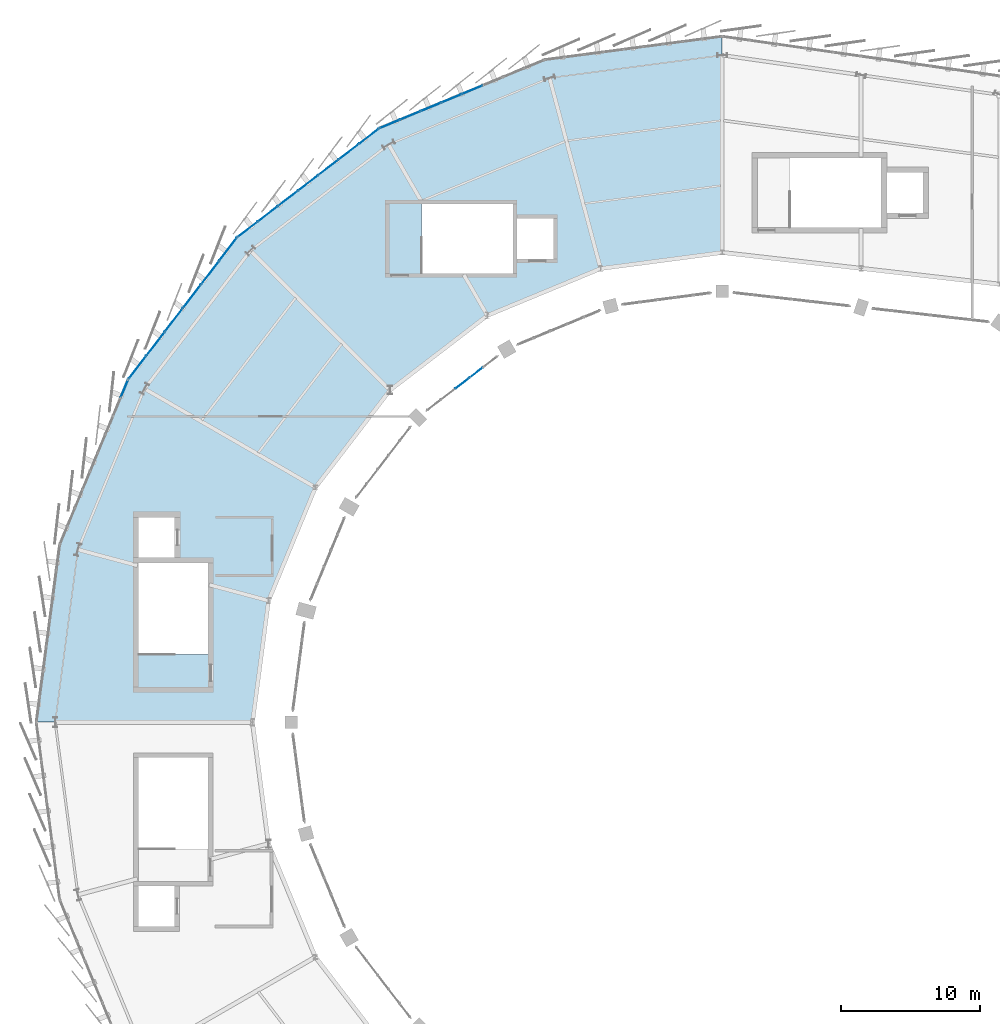
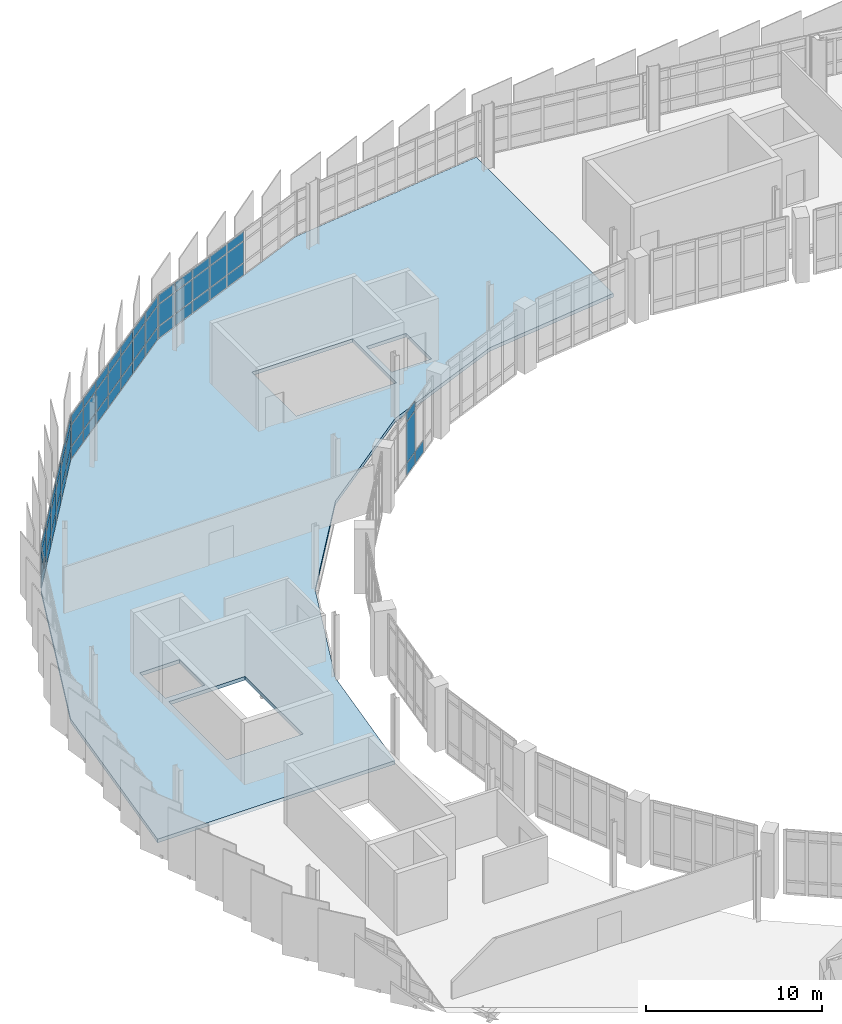
# One storey, part 54 of 67: 59 plates, 1 slab, 5 elements without a shape of their own.
"""IFC4 building model written with IfcOpenShell, lengths in metres."""

from ifc_helpers import new_model, si_unit, direction, frame, origin, origin_2d, place, context, subcontext, project, spatial, polyline, rectangle, outline, extrude, material, layer, layer_set, type_object, element, aggregate, save


model = new_model("IFC4")

# Units and contexts
model_context = context("Model", 3, precision=1e-05, world=origin(), true_north=direction((0.0, 1.0)))
body_context = subcontext(model_context, "Body", "Model", "MODEL_VIEW")
ifc_project = project(units=[si_unit("LENGTHUNIT", "METRE"), si_unit("AREAUNIT", "SQUARE_METRE"), si_unit("VOLUMEUNIT", "CUBIC_METRE"), si_unit("PLANEANGLEUNIT", "RADIAN"), si_unit("MASSUNIT", "GRAM", prefix="KILO")], contexts=[model_context])

# Site, building, storey
site_placement = place(None, origin())
site = spatial("IfcSite", under=ifc_project, at=site_placement, CompositionType="ELEMENT")
building_placement = place(site_placement, origin())
building = spatial("IfcBuilding", under=site, at=building_placement, Name="Sohan Crest Arena", CompositionType="ELEMENT")
storey_placement = place(building_placement, frame((0.0, 0.0, 22.5)))
storey = spatial("IfcBuildingStorey", under=building, at=storey_placement, Name="L05", CompositionType="ELEMENT", Elevation=22.5)

# Curtain wall, plate
ifc_material_1 = material(Name="Thermally broken anodised aluminium", Category="aluminium")
ifc_layer_1 = layer(ifc_material_1, 0.18994140625, Name="Thermally broken anodised aluminium")
ifc_layer_set_1 = layer_set([ifc_layer_1], Name="Thermally broken anodised aluminium")
curtain_wall_type_1 = type_object("IfcCurtainWallType", Name="ARC-CW05", PredefinedType="NOTDEFINED", material=ifc_layer_set_1)
curtain_wall_1_placement = place(storey_placement, origin())
curtain_wall_1 = element("IfcCurtainWall", 1, at=curtain_wall_1_placement, inside=storey, type_object=curtain_wall_type_1, Name="Unitised curtain wall CW-150", PredefinedType="NOTDEFINED")
ifc_material_2 = material(Name="Low-E double-glazed insulated glass", Category="glass")
ifc_layer_2 = layer(ifc_material_2, 0.028076171875, Name="Low-E double-glazed insulated glass")
ifc_layer_set_2 = layer_set([ifc_layer_2], Name="Low-E double-glazed insulated glass")
plate_type_1 = type_object("IfcPlateType", Name="ARC-CNP01", PredefinedType="CURTAIN_PANEL", material=ifc_layer_set_2)
plate_1_placement = place(storey_placement, frame((54.982421875, 102.0, 2.452392578125), z_axis=(0.0, 0.0, 1.0), x_axis=(-0.382685432009, -0.923878704229, 0.0)))
plate_1 = element("IfcPlate", 2, at=plate_1_placement, type_object=plate_type_1, Name="CW-150 panel 1.3", PredefinedType="CURTAIN_PANEL", context=body_context, shape_type="SweptSolid", body=[
    extrude(rectangle(XDim=1.34130859375, YDim=0.028076171875, at=origin_2d()), origin(), (0.0, 0.0, 1.0), 0.6025390625),
])
aggregate(curtain_wall_1, [plate_1])

# Curtain wall, plates
ifc_layer_3 = layer(ifc_material_1, 0.199951171875, Name="Thermally broken anodised aluminium")
ifc_layer_set_3 = layer_set([ifc_layer_3], Name="Thermally broken anodised aluminium")
curtain_wall_type_2 = type_object("IfcCurtainWallType", Name="ARC-CW02", PredefinedType="NOTDEFINED", material=ifc_layer_set_3)
curtain_wall_2_placement = place(storey_placement, origin())
curtain_wall_2 = element("IfcCurtainWall", 3, at=curtain_wall_2_placement, inside=storey, type_object=curtain_wall_type_2, Name="Unitised curtain wall CW-147", PredefinedType="NOTDEFINED")
ifc_layer_4 = layer(ifc_material_2, 0.031982421875, Name="Low-E double-glazed insulated glass")
ifc_layer_set_4 = layer_set([ifc_layer_4], Name="Low-E double-glazed insulated glass")
plate_type_2 = type_object("IfcPlateType", Name="ARC-CNP02", PredefinedType="CURTAIN_PANEL", material=ifc_layer_set_4)
plate_2_placement = place(storey_placement, frame((80.019775390625, 123.51123046875, 0.06494140625), z_axis=(0.0, 0.0, 1.0), x_axis=(-0.923878704229, -0.382685432009, 0.0)))
plate_2 = element("IfcPlate", 4, at=plate_2_placement, type_object=plate_type_2, Name="CW-147 panel 4.1", PredefinedType="CURTAIN_PANEL", context=body_context, shape_type="SweptSolid", body=[
    extrude(rectangle(XDim=1.54541015625, YDim=0.031982421875, at=origin_2d()), origin(), (0.0, 0.0, 1.0), 0.802490234375),
])
plate_3_placement = place(storey_placement, frame((80.019775390625, 123.51123046875, 0.932373046875), z_axis=(0.0, 0.0, 1.0), x_axis=(-0.923878704229, -0.382685432009, 0.0)))
plate_3 = element("IfcPlate", 5, at=plate_3_placement, type_object=plate_type_2, Name="CW-147 panel 4.2", PredefinedType="CURTAIN_PANEL", context=body_context, shape_type="SweptSolid", body=[
    extrude(rectangle(XDim=1.54541015625, YDim=0.031982421875, at=origin_2d()), origin(), (0.0, 0.0, 1.0), 1.455078125),
])
plate_4_placement = place(storey_placement, frame((80.019775390625, 123.51123046875, 2.452392578125), z_axis=(0.0, 0.0, 1.0), x_axis=(-0.923878704229, -0.382685432009, 0.0)))
plate_4 = element("IfcPlate", 6, at=plate_4_placement, type_object=plate_type_2, Name="CW-147 panel 4.3", PredefinedType="CURTAIN_PANEL", context=body_context, shape_type="SweptSolid", body=[
    extrude(rectangle(XDim=1.54541015625, YDim=0.031982421875, at=origin_2d()), origin(), (0.0, 0.0, 1.0), 0.6025390625),
])
plate_5_placement = place(storey_placement, frame((78.5322265625, 122.894775390625, 0.06494140625), z_axis=(0.0, 0.0, 1.0), x_axis=(-0.923878704229, -0.382685432009, 0.0)))
plate_5 = element("IfcPlate", 7, at=plate_5_placement, type_object=plate_type_2, Name="CW-147 panel 5.1", PredefinedType="CURTAIN_PANEL", context=body_context, shape_type="SweptSolid", body=[
    extrude(rectangle(XDim=1.54541015625, YDim=0.031982421875, at=origin_2d()), origin(), (0.0, 0.0, 1.0), 0.802490234375),
])
plate_6_placement = place(storey_placement, frame((78.5322265625, 122.894775390625, 0.932373046875), z_axis=(0.0, 0.0, 1.0), x_axis=(-0.923878704229, -0.382685432009, 0.0)))
plate_6 = element("IfcPlate", 8, at=plate_6_placement, type_object=plate_type_2, Name="CW-147 panel 5.2", PredefinedType="CURTAIN_PANEL", context=body_context, shape_type="SweptSolid", body=[
    extrude(rectangle(XDim=1.54541015625, YDim=0.031982421875, at=origin_2d()), origin(), (0.0, 0.0, 1.0), 1.455078125),
])
plate_7_placement = place(storey_placement, frame((78.5322265625, 122.894775390625, 2.452392578125), z_axis=(0.0, 0.0, 1.0), x_axis=(-0.923878704229, -0.382685432009, 0.0)))
plate_7 = element("IfcPlate", 9, at=plate_7_placement, type_object=plate_type_2, Name="CW-147 panel 5.3", PredefinedType="CURTAIN_PANEL", context=body_context, shape_type="SweptSolid", body=[
    extrude(rectangle(XDim=1.54541015625, YDim=0.031982421875, at=origin_2d()), origin(), (0.0, 0.0, 1.0), 0.6025390625),
])
plate_8_placement = place(storey_placement, frame((77.04443359375, 122.278564453125, 0.06494140625), z_axis=(0.0, 0.0, 1.0), x_axis=(-0.923878704229, -0.382685432009, 0.0)))
plate_8 = element("IfcPlate", 10, at=plate_8_placement, type_object=plate_type_2, Name="CW-147 panel 6.1", PredefinedType="CURTAIN_PANEL", context=body_context, shape_type="SweptSolid", body=[
    extrude(rectangle(XDim=1.54541015625, YDim=0.031982421875, at=origin_2d()), origin(), (0.0, 0.0, 1.0), 0.802490234375),
])
plate_9_placement = place(storey_placement, frame((77.04443359375, 122.278564453125, 0.932373046875), z_axis=(0.0, 0.0, 1.0), x_axis=(-0.923878704229, -0.382685432009, 0.0)))
plate_9 = element("IfcPlate", 11, at=plate_9_placement, type_object=plate_type_2, Name="CW-147 panel 6.2", PredefinedType="CURTAIN_PANEL", context=body_context, shape_type="SweptSolid", body=[
    extrude(rectangle(XDim=1.54541015625, YDim=0.031982421875, at=origin_2d()), origin(), (0.0, 0.0, 1.0), 1.455078125),
])
plate_10_placement = place(storey_placement, frame((77.04443359375, 122.278564453125, 2.452392578125), z_axis=(0.0, 0.0, 1.0), x_axis=(-0.923878704229, -0.382685432009, 0.0)))
plate_10 = element("IfcPlate", 12, at=plate_10_placement, type_object=plate_type_2, Name="CW-147 panel 6.3", PredefinedType="CURTAIN_PANEL", context=body_context, shape_type="SweptSolid", body=[
    extrude(rectangle(XDim=1.54541015625, YDim=0.031982421875, at=origin_2d()), origin(), (0.0, 0.0, 1.0), 0.6025390625),
])
plate_11_placement = place(storey_placement, frame((75.556640625, 121.662353515625, 0.06494140625), z_axis=(0.0, 0.0, 1.0), x_axis=(-0.923878704229, -0.382685432009, 0.0)))
plate_11 = element("IfcPlate", 13, at=plate_11_placement, type_object=plate_type_2, Name="CW-147 panel 7.1", PredefinedType="CURTAIN_PANEL", context=body_context, shape_type="SweptSolid", body=[
    extrude(rectangle(XDim=1.54541015625, YDim=0.031982421875, at=origin_2d()), origin(), (0.0, 0.0, 1.0), 0.802490234375),
])
plate_12_placement = place(storey_placement, frame((75.556640625, 121.662353515625, 0.932373046875), z_axis=(0.0, 0.0, 1.0), x_axis=(-0.923878704229, -0.382685432009, 0.0)))
plate_12 = element("IfcPlate", 14, at=plate_12_placement, type_object=plate_type_2, Name="CW-147 panel 7.2", PredefinedType="CURTAIN_PANEL", context=body_context, shape_type="SweptSolid", body=[
    extrude(rectangle(XDim=1.54541015625, YDim=0.031982421875, at=origin_2d()), origin(), (0.0, 0.0, 1.0), 1.455078125),
])
plate_13_placement = place(storey_placement, frame((75.556640625, 121.662353515625, 2.452392578125), z_axis=(0.0, 0.0, 1.0), x_axis=(-0.923878704229, -0.382685432009, 0.0)))
plate_13 = element("IfcPlate", 15, at=plate_13_placement, type_object=plate_type_2, Name="CW-147 panel 7.3", PredefinedType="CURTAIN_PANEL", context=body_context, shape_type="SweptSolid", body=[
    extrude(rectangle(XDim=1.54541015625, YDim=0.031982421875, at=origin_2d()), origin(), (0.0, 0.0, 1.0), 0.6025390625),
])
plate_14_placement = place(storey_placement, frame((74.083984375, 121.05224609375, 0.06494140625), z_axis=(0.0, 0.0, 1.0), x_axis=(-0.923878704229, -0.382685432009, 0.0)))
plate_14 = element("IfcPlate", 16, at=plate_14_placement, type_object=plate_type_2, Name="CW-147 panel 8.1", PredefinedType="CURTAIN_PANEL", context=body_context, shape_type="SweptSolid", body=[
    extrude(rectangle(XDim=1.512939453125, YDim=0.031982421875, at=origin_2d()), origin(), (0.0, 0.0, 1.0), 0.802490234375),
])
plate_15_placement = place(storey_placement, frame((74.083984375, 121.05224609375, 0.932373046875), z_axis=(0.0, 0.0, 1.0), x_axis=(-0.923878704229, -0.382685432009, 0.0)))
plate_15 = element("IfcPlate", 17, at=plate_15_placement, type_object=plate_type_2, Name="CW-147 panel 8.2", PredefinedType="CURTAIN_PANEL", context=body_context, shape_type="SweptSolid", body=[
    extrude(rectangle(XDim=1.512939453125, YDim=0.031982421875, at=origin_2d()), origin(), (0.0, 0.0, 1.0), 1.455078125),
])
plate_16_placement = place(storey_placement, frame((74.083984375, 121.05224609375, 2.452392578125), z_axis=(0.0, 0.0, 1.0), x_axis=(-0.923878704229, -0.382685432009, 0.0)))
plate_16 = element("IfcPlate", 18, at=plate_16_placement, type_object=plate_type_2, Name="CW-147 panel 8.3", PredefinedType="CURTAIN_PANEL", context=body_context, shape_type="SweptSolid", body=[
    extrude(rectangle(XDim=1.512939453125, YDim=0.031982421875, at=origin_2d()), origin(), (0.0, 0.0, 1.0), 0.6025390625),
])
aggregate(curtain_wall_2, [plate_2, plate_3, plate_4, plate_5, plate_6, plate_7, plate_8, plate_9, plate_10, plate_11, plate_12, plate_13, plate_14, plate_15, plate_16])

ifc_layer_5 = layer(ifc_material_1, 0.219970703125, Name="Thermally broken anodised aluminium")
ifc_layer_set_5 = layer_set([ifc_layer_5], Name="Thermally broken anodised aluminium")
curtain_wall_type_3 = type_object("IfcCurtainWallType", Name="ARC-CW03", PredefinedType="NOTDEFINED", material=ifc_layer_set_5)
curtain_wall_3_placement = place(storey_placement, origin())
curtain_wall_3 = element("IfcCurtainWall", 19, at=curtain_wall_3_placement, inside=storey, type_object=curtain_wall_type_3, Name="Unitised curtain wall CW-148", PredefinedType="NOTDEFINED")
ifc_material_3 = material(Name="Ceramic-fritted solar-control insulated glass", Category="glass")
ifc_layer_6 = layer(ifc_material_3, 0.035888671875, Name="Ceramic-fritted solar-control insulated glass")
ifc_layer_set_6 = layer_set([ifc_layer_6], Name="Ceramic-fritted solar-control insulated glass")
plate_type_3 = type_object("IfcPlateType", Name="ARC-CNP03", PredefinedType="CURTAIN_PANEL", material=ifc_layer_set_6)
plate_17_placement = place(storey_placement, frame((72.5810546875, 120.167236328125, 0.070068359375), z_axis=(0.0, 0.0, 1.0), x_axis=(-0.793385172815, -0.60871994181, 0.0)))
plate_17 = element("IfcPlate", 20, at=plate_17_placement, type_object=plate_type_3, Name="CW-148 panel 1.1", PredefinedType="CURTAIN_PANEL", context=body_context, shape_type="SweptSolid", body=[
    extrude(rectangle(XDim=1.7353515625, YDim=0.035888671875, at=origin_2d()), origin(), (0.0, 0.0, 1.0), 0.794921875),
])
plate_18_placement = place(storey_placement, frame((72.5810546875, 120.167236328125, 0.93505859375), z_axis=(0.0, 0.0, 1.0), x_axis=(-0.793385172815, -0.60871994181, 0.0)))
plate_18 = element("IfcPlate", 21, at=plate_18_placement, type_object=plate_type_3, Name="CW-148 panel 1.2", PredefinedType="CURTAIN_PANEL", context=body_context, shape_type="SweptSolid", body=[
    extrude(rectangle(XDim=1.7353515625, YDim=0.035888671875, at=origin_2d()), origin(), (0.0, 0.0, 1.0), 1.449951171875),
])
plate_19_placement = place(storey_placement, frame((72.5810546875, 120.167236328125, 2.455078125), z_axis=(0.0, 0.0, 1.0), x_axis=(-0.793385172815, -0.60871994181, 0.0)))
plate_19 = element("IfcPlate", 22, at=plate_19_placement, type_object=plate_type_3, Name="CW-148 panel 1.3", PredefinedType="CURTAIN_PANEL", context=body_context, shape_type="SweptSolid", body=[
    extrude(rectangle(XDim=1.7353515625, YDim=0.035888671875, at=origin_2d()), origin(), (0.0, 0.0, 1.0), 0.594970703125),
])
plate_20_placement = place(storey_placement, frame((71.134765625, 119.0576171875, 0.070068359375), z_axis=(0.0, 0.0, 1.0), x_axis=(-0.793385172815, -0.60871994181, 0.0)))
plate_20 = element("IfcPlate", 23, at=plate_20_placement, type_object=plate_type_3, Name="CW-148 panel 2.1", PredefinedType="CURTAIN_PANEL", context=body_context, shape_type="SweptSolid", body=[
    extrude(rectangle(XDim=1.7705078125, YDim=0.035888671875, at=origin_2d()), origin(), (0.0, 0.0, 1.0), 0.794921875),
])
plate_21_placement = place(storey_placement, frame((71.134765625, 119.0576171875, 0.93505859375), z_axis=(0.0, 0.0, 1.0), x_axis=(-0.793385172815, -0.60871994181, 0.0)))
plate_21 = element("IfcPlate", 24, at=plate_21_placement, type_object=plate_type_3, Name="CW-148 panel 2.2", PredefinedType="CURTAIN_PANEL", context=body_context, shape_type="SweptSolid", body=[
    extrude(rectangle(XDim=1.7705078125, YDim=0.035888671875, at=origin_2d()), origin(), (0.0, 0.0, 1.0), 1.449951171875),
])
plate_22_placement = place(storey_placement, frame((71.134765625, 119.0576171875, 2.455078125), z_axis=(0.0, 0.0, 1.0), x_axis=(-0.793385172815, -0.60871994181, 0.0)))
plate_22 = element("IfcPlate", 25, at=plate_22_placement, type_object=plate_type_3, Name="CW-148 panel 2.3", PredefinedType="CURTAIN_PANEL", context=body_context, shape_type="SweptSolid", body=[
    extrude(rectangle(XDim=1.7705078125, YDim=0.035888671875, at=origin_2d()), origin(), (0.0, 0.0, 1.0), 0.594970703125),
])
plate_23_placement = place(storey_placement, frame((69.674560546875, 117.937255859375, 0.070068359375), z_axis=(0.0, 0.0, 1.0), x_axis=(-0.793385172815, -0.60871994181, 0.0)))
plate_23 = element("IfcPlate", 26, at=plate_23_placement, type_object=plate_type_3, Name="CW-148 panel 3.1", PredefinedType="CURTAIN_PANEL", context=body_context, shape_type="SweptSolid", body=[
    extrude(rectangle(XDim=1.7705078125, YDim=0.035888671875, at=origin_2d()), origin(), (0.0, 0.0, 1.0), 0.794921875),
])
plate_24_placement = place(storey_placement, frame((69.674560546875, 117.937255859375, 0.93505859375), z_axis=(0.0, 0.0, 1.0), x_axis=(-0.793385172815, -0.60871994181, 0.0)))
plate_24 = element("IfcPlate", 27, at=plate_24_placement, type_object=plate_type_3, Name="CW-148 panel 3.2", PredefinedType="CURTAIN_PANEL", context=body_context, shape_type="SweptSolid", body=[
    extrude(rectangle(XDim=1.7705078125, YDim=0.035888671875, at=origin_2d()), origin(), (0.0, 0.0, 1.0), 1.449951171875),
])
plate_25_placement = place(storey_placement, frame((69.674560546875, 117.937255859375, 2.455078125), z_axis=(0.0, 0.0, 1.0), x_axis=(-0.793385172815, -0.60871994181, 0.0)))
plate_25 = element("IfcPlate", 28, at=plate_25_placement, type_object=plate_type_3, Name="CW-148 panel 3.3", PredefinedType="CURTAIN_PANEL", context=body_context, shape_type="SweptSolid", body=[
    extrude(rectangle(XDim=1.7705078125, YDim=0.035888671875, at=origin_2d()), origin(), (0.0, 0.0, 1.0), 0.594970703125),
])
plate_26_placement = place(storey_placement, frame((68.214599609375, 116.81689453125, 0.070068359375), z_axis=(0.0, 0.0, 1.0), x_axis=(-0.793385172815, -0.60871994181, 0.0)))
plate_26 = element("IfcPlate", 29, at=plate_26_placement, type_object=plate_type_3, Name="CW-148 panel 4.1", PredefinedType="CURTAIN_PANEL", context=body_context, shape_type="SweptSolid", body=[
    extrude(rectangle(XDim=1.7705078125, YDim=0.035888671875, at=origin_2d()), origin(), (0.0, 0.0, 1.0), 0.794921875),
])
plate_27_placement = place(storey_placement, frame((68.214599609375, 116.81689453125, 0.93505859375), z_axis=(0.0, 0.0, 1.0), x_axis=(-0.793385172815, -0.60871994181, 0.0)))
plate_27 = element("IfcPlate", 30, at=plate_27_placement, type_object=plate_type_3, Name="CW-148 panel 4.2", PredefinedType="CURTAIN_PANEL", context=body_context, shape_type="SweptSolid", body=[
    extrude(rectangle(XDim=1.7705078125, YDim=0.035888671875, at=origin_2d()), origin(), (0.0, 0.0, 1.0), 1.449951171875),
])
plate_28_placement = place(storey_placement, frame((68.214599609375, 116.81689453125, 2.455078125), z_axis=(0.0, 0.0, 1.0), x_axis=(-0.793385172815, -0.60871994181, 0.0)))
plate_28 = element("IfcPlate", 31, at=plate_28_placement, type_object=plate_type_3, Name="CW-148 panel 4.3", PredefinedType="CURTAIN_PANEL", context=body_context, shape_type="SweptSolid", body=[
    extrude(rectangle(XDim=1.7705078125, YDim=0.035888671875, at=origin_2d()), origin(), (0.0, 0.0, 1.0), 0.594970703125),
])
plate_29_placement = place(storey_placement, frame((66.75439453125, 115.69677734375, 0.070068359375), z_axis=(0.0, 0.0, 1.0), x_axis=(-0.793385172815, -0.60871994181, 0.0)))
plate_29 = element("IfcPlate", 32, at=plate_29_placement, type_object=plate_type_3, Name="CW-148 panel 5.1", PredefinedType="CURTAIN_PANEL", context=body_context, shape_type="SweptSolid", body=[
    extrude(rectangle(XDim=1.7705078125, YDim=0.035888671875, at=origin_2d()), origin(), (0.0, 0.0, 1.0), 0.794921875),
])
plate_30_placement = place(storey_placement, frame((66.75439453125, 115.69677734375, 0.93505859375), z_axis=(0.0, 0.0, 1.0), x_axis=(-0.793385172815, -0.60871994181, 0.0)))
plate_30 = element("IfcPlate", 33, at=plate_30_placement, type_object=plate_type_3, Name="CW-148 panel 5.2", PredefinedType="CURTAIN_PANEL", context=body_context, shape_type="SweptSolid", body=[
    extrude(rectangle(XDim=1.7705078125, YDim=0.035888671875, at=origin_2d()), origin(), (0.0, 0.0, 1.0), 1.449951171875),
])
plate_31_placement = place(storey_placement, frame((66.75439453125, 115.69677734375, 2.455078125), z_axis=(0.0, 0.0, 1.0), x_axis=(-0.793385172815, -0.60871994181, 0.0)))
plate_31 = element("IfcPlate", 34, at=plate_31_placement, type_object=plate_type_3, Name="CW-148 panel 5.3", PredefinedType="CURTAIN_PANEL", context=body_context, shape_type="SweptSolid", body=[
    extrude(rectangle(XDim=1.7705078125, YDim=0.035888671875, at=origin_2d()), origin(), (0.0, 0.0, 1.0), 0.594970703125),
])
plate_32_placement = place(storey_placement, frame((65.294189453125, 114.576416015625, 0.070068359375), z_axis=(0.0, 0.0, 1.0), x_axis=(-0.793385172815, -0.60871994181, 0.0)))
plate_32 = element("IfcPlate", 35, at=plate_32_placement, type_object=plate_type_3, Name="CW-148 panel 6.1", PredefinedType="CURTAIN_PANEL", context=body_context, shape_type="SweptSolid", body=[
    extrude(rectangle(XDim=1.7705078125, YDim=0.035888671875, at=origin_2d()), origin(), (0.0, 0.0, 1.0), 0.794921875),
])
plate_33_placement = place(storey_placement, frame((65.294189453125, 114.576416015625, 0.93505859375), z_axis=(0.0, 0.0, 1.0), x_axis=(-0.793385172815, -0.60871994181, 0.0)))
plate_33 = element("IfcPlate", 36, at=plate_33_placement, type_object=plate_type_3, Name="CW-148 panel 6.2", PredefinedType="CURTAIN_PANEL", context=body_context, shape_type="SweptSolid", body=[
    extrude(rectangle(XDim=1.7705078125, YDim=0.035888671875, at=origin_2d()), origin(), (0.0, 0.0, 1.0), 1.449951171875),
])
plate_34_placement = place(storey_placement, frame((65.294189453125, 114.576416015625, 2.455078125), z_axis=(0.0, 0.0, 1.0), x_axis=(-0.793385172815, -0.60871994181, 0.0)))
plate_34 = element("IfcPlate", 37, at=plate_34_placement, type_object=plate_type_3, Name="CW-148 panel 6.3", PredefinedType="CURTAIN_PANEL", context=body_context, shape_type="SweptSolid", body=[
    extrude(rectangle(XDim=1.7705078125, YDim=0.035888671875, at=origin_2d()), origin(), (0.0, 0.0, 1.0), 0.594970703125),
])
plate_35_placement = place(storey_placement, frame((63.847900390625, 113.466796875, 0.070068359375), z_axis=(0.0, 0.0, 1.0), x_axis=(-0.793385172815, -0.60871994181, 0.0)))
plate_35 = element("IfcPlate", 38, at=plate_35_placement, type_object=plate_type_3, Name="CW-148 panel 7.1", PredefinedType="CURTAIN_PANEL", context=body_context, shape_type="SweptSolid", body=[
    extrude(rectangle(XDim=1.7353515625, YDim=0.035888671875, at=origin_2d()), origin(), (0.0, 0.0, 1.0), 0.794921875),
])
plate_36_placement = place(storey_placement, frame((63.847900390625, 113.466796875, 0.93505859375), z_axis=(0.0, 0.0, 1.0), x_axis=(-0.793385172815, -0.60871994181, 0.0)))
plate_36 = element("IfcPlate", 39, at=plate_36_placement, type_object=plate_type_3, Name="CW-148 panel 7.2", PredefinedType="CURTAIN_PANEL", context=body_context, shape_type="SweptSolid", body=[
    extrude(rectangle(XDim=1.7353515625, YDim=0.035888671875, at=origin_2d()), origin(), (0.0, 0.0, 1.0), 1.449951171875),
])
plate_37_placement = place(storey_placement, frame((63.847900390625, 113.466796875, 2.455078125), z_axis=(0.0, 0.0, 1.0), x_axis=(-0.793385172815, -0.60871994181, 0.0)))
plate_37 = element("IfcPlate", 40, at=plate_37_placement, type_object=plate_type_3, Name="CW-148 panel 7.3", PredefinedType="CURTAIN_PANEL", context=body_context, shape_type="SweptSolid", body=[
    extrude(rectangle(XDim=1.7353515625, YDim=0.035888671875, at=origin_2d()), origin(), (0.0, 0.0, 1.0), 0.594970703125),
])
aggregate(curtain_wall_3, [plate_17, plate_18, plate_19, plate_20, plate_21, plate_22, plate_23, plate_24, plate_25, plate_26, plate_27, plate_28, plate_29, plate_30, plate_31, plate_32, plate_33, plate_34, plate_35, plate_36, plate_37])

curtain_wall_4_placement = place(storey_placement, origin())
curtain_wall_4 = element("IfcCurtainWall", 41, at=curtain_wall_4_placement, inside=storey, type_object=curtain_wall_type_1, Name="Unitised curtain wall CW-168", PredefinedType="NOTDEFINED")
plate_38_placement = place(storey_placement, frame((80.313720703125, 103.169189453125, 0.06494140625), z_axis=(0.0, 0.0, 1.0), x_axis=(-0.793217053508, -0.608939000248, 0.0)))
plate_38 = element("IfcPlate", 42, at=plate_38_placement, type_object=plate_type_3, Name="CW-168 panel 2.1", PredefinedType="CURTAIN_PANEL", context=body_context, shape_type="SweptSolid", body=[
    extrude(rectangle(XDim=1.220458984375, YDim=0.035888671875, at=origin_2d()), origin(), (0.0, 0.0, 1.0), 0.802490234375),
])
plate_39_placement = place(storey_placement, frame((79.2900390625, 102.383544921875, 0.06494140625), z_axis=(0.0, 0.0, 1.0), x_axis=(-0.793217053508, -0.608939000248, 0.0)))
plate_39 = element("IfcPlate", 43, at=plate_39_placement, type_object=plate_type_3, Name="CW-168 panel 3.1", PredefinedType="CURTAIN_PANEL", context=body_context, shape_type="SweptSolid", body=[
    extrude(rectangle(XDim=1.220458984375, YDim=0.035888671875, at=origin_2d()), origin(), (0.0, 0.0, 1.0), 0.802490234375),
])
plate_40_placement = place(storey_placement, frame((79.2900390625, 102.383544921875, 0.9326171875), z_axis=(0.0, 0.0, 1.0), x_axis=(-0.793217053508, -0.608939000248, 0.0)))
plate_40 = element("IfcPlate", 44, at=plate_40_placement, type_object=plate_type_3, Name="CW-168 panel 3.2", PredefinedType="CURTAIN_PANEL", context=body_context, shape_type="SweptSolid", body=[
    extrude(rectangle(XDim=1.220458984375, YDim=0.035888671875, at=origin_2d()), origin(), (0.0, 0.0, 1.0), 2.784912109375),
])
plate_41_placement = place(storey_placement, frame((79.2900390625, 102.383544921875, 3.782470703125), z_axis=(0.0, 0.0, 1.0), x_axis=(-0.793217053508, -0.608939000248, 0.0)))
plate_41 = element("IfcPlate", 45, at=plate_41_placement, type_object=plate_type_3, Name="CW-168 panel 3.3", PredefinedType="CURTAIN_PANEL", context=body_context, shape_type="SweptSolid", body=[
    extrude(rectangle(XDim=1.220458984375, YDim=0.035888671875, at=origin_2d()), origin(), (0.0, 0.0, 1.0), 0.6025390625),
])
aggregate(curtain_wall_4, [plate_38, plate_39, plate_40, plate_41])

ifc_layer_7 = layer(ifc_material_1, 0.239990234375, Name="Thermally broken anodised aluminium")
ifc_layer_set_7 = layer_set([ifc_layer_7], Name="Thermally broken anodised aluminium")
curtain_wall_type_4 = type_object("IfcCurtainWallType", Name="ARC-CW04", PredefinedType="NOTDEFINED", material=ifc_layer_set_7)
curtain_wall_5_placement = place(storey_placement, origin())
curtain_wall_5 = element("IfcCurtainWall", 46, at=curtain_wall_5_placement, inside=storey, type_object=curtain_wall_type_4, Name="Unitised curtain wall CW-149", PredefinedType="NOTDEFINED")
ifc_material_4 = material(Name="Insulated polychrome ceramic spandrel panel", Category="masonry")
ifc_layer_8 = layer(ifc_material_4, 0.0419921875, Name="Insulated polychrome ceramic spandrel panel")
ifc_layer_set_8 = layer_set([ifc_layer_8], Name="Insulated polychrome ceramic spandrel panel")
plate_type_4 = type_object("IfcPlateType", Name="ARC-CNP04", PredefinedType="CURTAIN_PANEL", material=ifc_layer_set_8)
plate_42_placement = place(storey_placement, frame((62.43896484375, 112.029296875, 0.06005859375), z_axis=(0.0, 0.0, 1.0), x_axis=(-0.60871994181, -0.793385172815, 0.0)))
plate_42 = element("IfcPlate", 47, at=plate_42_placement, type_object=plate_type_4, Name="CW-149 panel 1.1", PredefinedType="CURTAIN_PANEL", context=body_context, shape_type="SweptSolid", body=[
    extrude(rectangle(XDim=2.03466796875, YDim=0.0419921875, at=origin_2d()), origin(), (0.0, 0.0, 1.0), 0.81005859375),
])
plate_43_placement = place(storey_placement, frame((62.43896484375, 112.029296875, 0.929931640625), z_axis=(0.0, 0.0, 1.0), x_axis=(-0.60871994181, -0.793385172815, 0.0)))
plate_43 = element("IfcPlate", 48, at=plate_43_placement, type_object=plate_type_4, Name="CW-149 panel 1.2", PredefinedType="CURTAIN_PANEL", context=body_context, shape_type="SweptSolid", body=[
    extrude(rectangle(XDim=2.03466796875, YDim=0.0419921875, at=origin_2d()), origin(), (0.0, 0.0, 1.0), 1.4599609375),
])
plate_44_placement = place(storey_placement, frame((62.43896484375, 112.029296875, 2.44970703125), z_axis=(0.0, 0.0, 1.0), x_axis=(-0.60871994181, -0.793385172815, 0.0)))
plate_44 = element("IfcPlate", 49, at=plate_44_placement, type_object=plate_type_4, Name="CW-149 panel 1.3", PredefinedType="CURTAIN_PANEL", context=body_context, shape_type="SweptSolid", body=[
    extrude(rectangle(XDim=2.03466796875, YDim=0.0419921875, at=origin_2d()), origin(), (0.0, 0.0, 1.0), 0.610107421875),
])
plate_45_placement = place(storey_placement, frame((61.1435546875, 110.3408203125, 0.06005859375), z_axis=(0.0, 0.0, 1.0), x_axis=(-0.60871994181, -0.793385172815, 0.0)))
plate_45 = element("IfcPlate", 50, at=plate_45_placement, type_object=plate_type_4, Name="CW-149 panel 2.1", PredefinedType="CURTAIN_PANEL", context=body_context, shape_type="SweptSolid", body=[
    extrude(rectangle(XDim=2.072021484375, YDim=0.0419921875, at=origin_2d()), origin(), (0.0, 0.0, 1.0), 0.81005859375),
])
plate_46_placement = place(storey_placement, frame((61.1435546875, 110.3408203125, 0.929931640625), z_axis=(0.0, 0.0, 1.0), x_axis=(-0.60871994181, -0.793385172815, 0.0)))
plate_46 = element("IfcPlate", 51, at=plate_46_placement, type_object=plate_type_4, Name="CW-149 panel 2.2", PredefinedType="CURTAIN_PANEL", context=body_context, shape_type="SweptSolid", body=[
    extrude(rectangle(XDim=2.072021484375, YDim=0.0419921875, at=origin_2d()), origin(), (0.0, 0.0, 1.0), 1.4599609375),
])
plate_47_placement = place(storey_placement, frame((61.1435546875, 110.3408203125, 2.44970703125), z_axis=(0.0, 0.0, 1.0), x_axis=(-0.60871994181, -0.793385172815, 0.0)))
plate_47 = element("IfcPlate", 52, at=plate_47_placement, type_object=plate_type_4, Name="CW-149 panel 2.3", PredefinedType="CURTAIN_PANEL", context=body_context, shape_type="SweptSolid", body=[
    extrude(rectangle(XDim=2.072021484375, YDim=0.0419921875, at=origin_2d()), origin(), (0.0, 0.0, 1.0), 0.610107421875),
])
plate_48_placement = place(storey_placement, frame((59.83642578125, 108.63720703125, 0.06005859375), z_axis=(0.0, 0.0, 1.0), x_axis=(-0.60871994181, -0.793385172815, 0.0)))
plate_48 = element("IfcPlate", 53, at=plate_48_placement, type_object=plate_type_4, Name="CW-149 panel 3.1", PredefinedType="CURTAIN_PANEL", context=body_context, shape_type="SweptSolid", body=[
    extrude(rectangle(XDim=2.072021484375, YDim=0.0419921875, at=origin_2d()), origin(), (0.0, 0.0, 1.0), 0.81005859375),
])
plate_49_placement = place(storey_placement, frame((59.83642578125, 108.63720703125, 0.929931640625), z_axis=(0.0, 0.0, 1.0), x_axis=(-0.60871994181, -0.793385172815, 0.0)))
plate_49 = element("IfcPlate", 54, at=plate_49_placement, type_object=plate_type_4, Name="CW-149 panel 3.2", PredefinedType="CURTAIN_PANEL", context=body_context, shape_type="SweptSolid", body=[
    extrude(rectangle(XDim=2.072021484375, YDim=0.0419921875, at=origin_2d()), origin(), (0.0, 0.0, 1.0), 1.4599609375),
])
plate_50_placement = place(storey_placement, frame((59.83642578125, 108.63720703125, 2.44970703125), z_axis=(0.0, 0.0, 1.0), x_axis=(-0.60871994181, -0.793385172815, 0.0)))
plate_50 = element("IfcPlate", 55, at=plate_50_placement, type_object=plate_type_4, Name="CW-149 panel 3.3", PredefinedType="CURTAIN_PANEL", context=body_context, shape_type="SweptSolid", body=[
    extrude(rectangle(XDim=2.072021484375, YDim=0.0419921875, at=origin_2d()), origin(), (0.0, 0.0, 1.0), 0.610107421875),
])
plate_51_placement = place(storey_placement, frame((58.529541015625, 106.933837890625, 0.06005859375), z_axis=(0.0, 0.0, 1.0), x_axis=(-0.60871994181, -0.793385172815, 0.0)))
plate_51 = element("IfcPlate", 56, at=plate_51_placement, type_object=plate_type_4, Name="CW-149 panel 4.1", PredefinedType="CURTAIN_PANEL", context=body_context, shape_type="SweptSolid", body=[
    extrude(rectangle(XDim=2.072021484375, YDim=0.0419921875, at=origin_2d()), origin(), (0.0, 0.0, 1.0), 0.81005859375),
])
plate_52_placement = place(storey_placement, frame((58.529541015625, 106.933837890625, 0.929931640625), z_axis=(0.0, 0.0, 1.0), x_axis=(-0.60871994181, -0.793385172815, 0.0)))
plate_52 = element("IfcPlate", 57, at=plate_52_placement, type_object=plate_type_4, Name="CW-149 panel 4.2", PredefinedType="CURTAIN_PANEL", context=body_context, shape_type="SweptSolid", body=[
    extrude(rectangle(XDim=2.072021484375, YDim=0.0419921875, at=origin_2d()), origin(), (0.0, 0.0, 1.0), 1.4599609375),
])
plate_53_placement = place(storey_placement, frame((58.529541015625, 106.933837890625, 2.44970703125), z_axis=(0.0, 0.0, 1.0), x_axis=(-0.60871994181, -0.793385172815, 0.0)))
plate_53 = element("IfcPlate", 58, at=plate_53_placement, type_object=plate_type_4, Name="CW-149 panel 4.3", PredefinedType="CURTAIN_PANEL", context=body_context, shape_type="SweptSolid", body=[
    extrude(rectangle(XDim=2.072021484375, YDim=0.0419921875, at=origin_2d()), origin(), (0.0, 0.0, 1.0), 0.610107421875),
])
plate_54_placement = place(storey_placement, frame((57.222412109375, 105.230224609375, 0.06005859375), z_axis=(0.0, 0.0, 1.0), x_axis=(-0.60871994181, -0.793385172815, 0.0)))
plate_54 = element("IfcPlate", 59, at=plate_54_placement, type_object=plate_type_4, Name="CW-149 panel 5.1", PredefinedType="CURTAIN_PANEL", context=body_context, shape_type="SweptSolid", body=[
    extrude(rectangle(XDim=2.072021484375, YDim=0.0419921875, at=origin_2d()), origin(), (0.0, 0.0, 1.0), 0.81005859375),
])
plate_55_placement = place(storey_placement, frame((57.222412109375, 105.230224609375, 0.929931640625), z_axis=(0.0, 0.0, 1.0), x_axis=(-0.60871994181, -0.793385172815, 0.0)))
plate_55 = element("IfcPlate", 60, at=plate_55_placement, type_object=plate_type_4, Name="CW-149 panel 5.2", PredefinedType="CURTAIN_PANEL", context=body_context, shape_type="SweptSolid", body=[
    extrude(rectangle(XDim=2.072021484375, YDim=0.0419921875, at=origin_2d()), origin(), (0.0, 0.0, 1.0), 1.4599609375),
])
plate_56_placement = place(storey_placement, frame((57.222412109375, 105.230224609375, 2.44970703125), z_axis=(0.0, 0.0, 1.0), x_axis=(-0.60871994181, -0.793385172815, 0.0)))
plate_56 = element("IfcPlate", 61, at=plate_56_placement, type_object=plate_type_4, Name="CW-149 panel 5.3", PredefinedType="CURTAIN_PANEL", context=body_context, shape_type="SweptSolid", body=[
    extrude(rectangle(XDim=2.072021484375, YDim=0.0419921875, at=origin_2d()), origin(), (0.0, 0.0, 1.0), 0.610107421875),
])
plate_57_placement = place(storey_placement, frame((55.927001953125, 103.54150390625, 0.06005859375), z_axis=(0.0, 0.0, 1.0), x_axis=(-0.60871994181, -0.793385172815, 0.0)))
plate_57 = element("IfcPlate", 62, at=plate_57_placement, type_object=plate_type_4, Name="CW-149 panel 6.1", PredefinedType="CURTAIN_PANEL", context=body_context, shape_type="SweptSolid", body=[
    extrude(rectangle(XDim=2.03466796875, YDim=0.0419921875, at=origin_2d()), origin(), (0.0, 0.0, 1.0), 0.81005859375),
])
plate_58_placement = place(storey_placement, frame((55.927001953125, 103.54150390625, 0.929931640625), z_axis=(0.0, 0.0, 1.0), x_axis=(-0.60871994181, -0.793385172815, 0.0)))
plate_58 = element("IfcPlate", 63, at=plate_58_placement, type_object=plate_type_4, Name="CW-149 panel 6.2", PredefinedType="CURTAIN_PANEL", context=body_context, shape_type="SweptSolid", body=[
    extrude(rectangle(XDim=2.03466796875, YDim=0.0419921875, at=origin_2d()), origin(), (0.0, 0.0, 1.0), 1.4599609375),
])
plate_59_placement = place(storey_placement, frame((55.927001953125, 103.54150390625, 2.44970703125), z_axis=(0.0, 0.0, 1.0), x_axis=(-0.60871994181, -0.793385172815, 0.0)))
plate_59 = element("IfcPlate", 64, at=plate_59_placement, type_object=plate_type_4, Name="CW-149 panel 6.3", PredefinedType="CURTAIN_PANEL", context=body_context, shape_type="SweptSolid", body=[
    extrude(rectangle(XDim=2.03466796875, YDim=0.0419921875, at=origin_2d()), origin(), (0.0, 0.0, 1.0), 0.610107421875),
])
aggregate(curtain_wall_5, [plate_42, plate_43, plate_44, plate_45, plate_46, plate_47, plate_48, plate_49, plate_50, plate_51, plate_52, plate_53, plate_54, plate_55, plate_56, plate_57, plate_58, plate_59])

# Slab
ifc_material_5 = material(Name="Concrete C40/50", Category="concrete")
ifc_layer_9 = layer(ifc_material_5, 0.25, Name="Concrete C40/50")
ifc_layer_set_9 = layer_set([ifc_layer_9], Name="Concrete C40/50")
slab_type = type_object("IfcSlabType", Name="SL-FLR3", PredefinedType="FLOOR", material=ifc_layer_set_9)
slab_placement = place(storey_placement, frame((0.0, 0.0, -0.25)))
element("IfcSlab", 65, at=slab_placement, inside=storey, type_object=slab_type, Name="Concourse ring L05 sector 1 SL-L05-V2S1", PredefinedType="FLOOR", context=body_context, shape_type="SweptSolid", body=[
    extrude(outline(polyline([(85.22705078125, 125.66796875), (98.0, 127.35009765625), (98.0, 111.800048828125), (89.251953125, 110.64794921875), (81.10009765625, 107.27197265625), (74.10009765625, 101.89990234375), (68.72802734375, 94.89990234375), (65.35205078125, 86.748046875), (64.199951171875, 78.0), (48.64990234375, 78.0), (50.33203125, 90.77294921875), (55.261962890625, 102.675048828125), (63.10400390625, 112.89599609375), (73.324951171875, 120.738037109375), (85.22705078125, 125.66796875)]), holes=[polyline([(56.0, 82.8701171875), (61.0, 82.8701171875), (61.0, 89.449951171875), (56.0, 89.449951171875), (56.0, 82.8701171875)]), polyline([(56.0, 92.75), (56.0, 89.85009765625), (58.60009765625, 89.85009765625), (58.60009765625, 92.75), (56.0, 92.75)]), polyline([(76.3701171875, 110.300048828125), (82.949951171875, 110.300048828125), (82.949951171875, 115.300048828125), (76.3701171875, 115.300048828125), (76.3701171875, 110.300048828125)]), polyline([(83.25, 114.25), (83.25, 111.35009765625), (85.85009765625, 111.35009765625), (85.85009765625, 114.25), (83.25, 114.25)])]), origin(), (0.0, 0.0, 1.0), 0.25),
])

save(model, "model.ifc")
